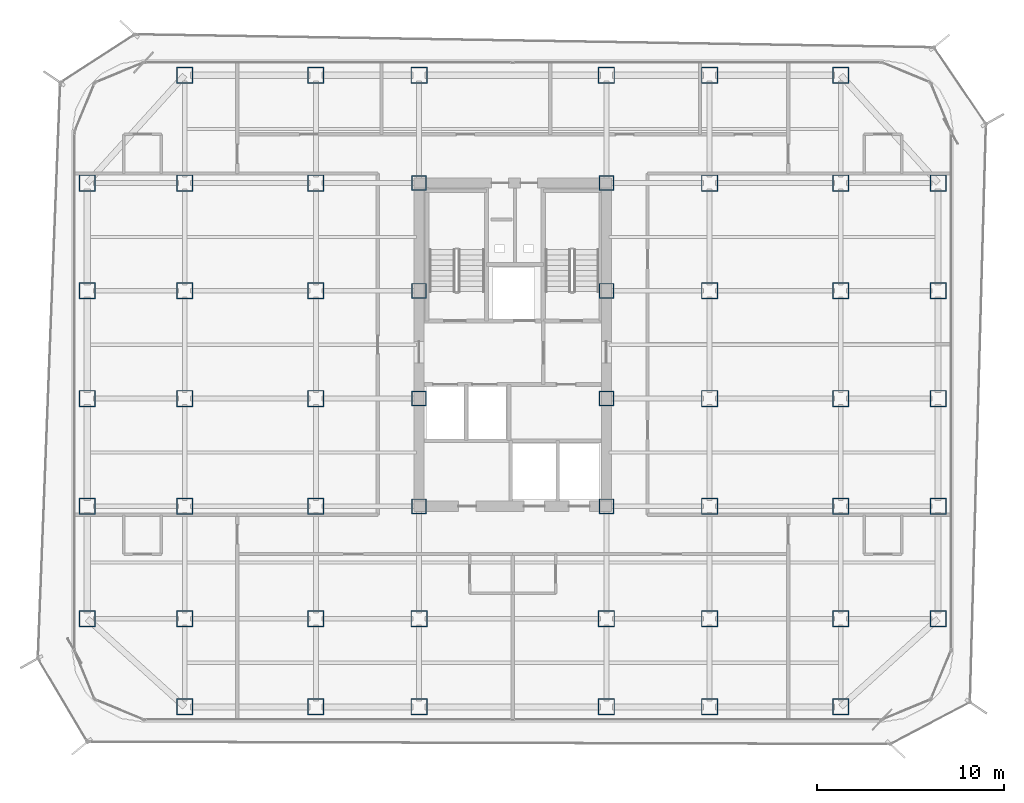
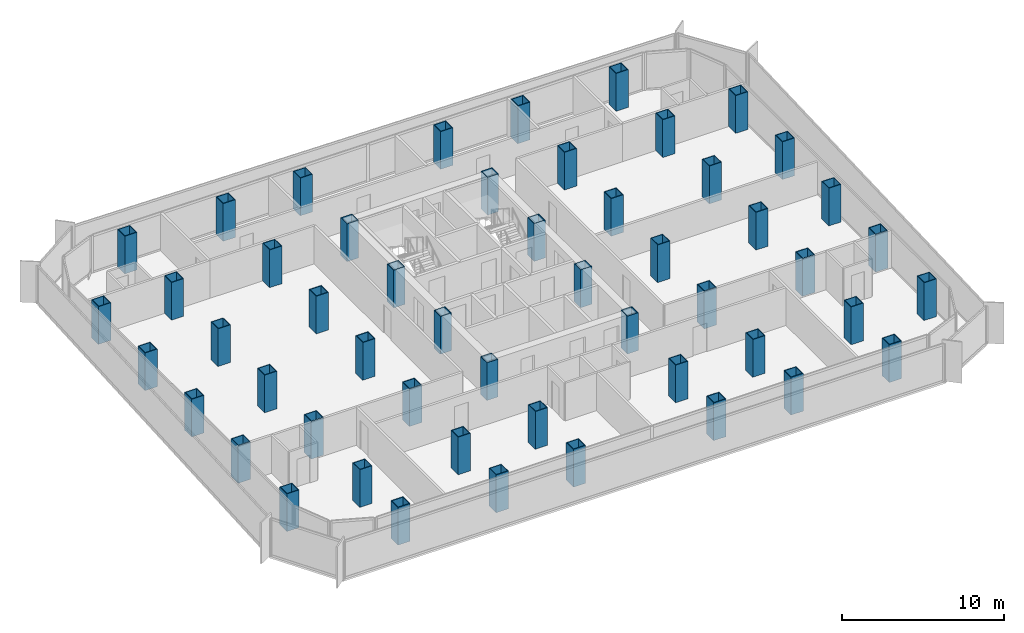
# One storey, part 1 of 21: 52 columns.
"""IFC4 building model written with IfcOpenShell, lengths in metres."""

from ifc_helpers import new_model, si_unit, direction, frame, origin, origin_2d, place, context, subcontext, project, spatial, hollow_rectangle, extrude, source, transform, mapped, material, material_profile, profile_set, type_object, element, save


model = new_model("IFC4")

# Units and contexts
model_context = context("Model", 3, precision=1e-05, world=origin(), true_north=direction((0.0, 1.0)))
body_context = subcontext(model_context, "Body", "Model", "MODEL_VIEW")
ifc_project = project(units=[si_unit("LENGTHUNIT", "METRE"), si_unit("AREAUNIT", "SQUARE_METRE"), si_unit("VOLUMEUNIT", "CUBIC_METRE"), si_unit("PLANEANGLEUNIT", "RADIAN"), si_unit("MASSUNIT", "GRAM", prefix="KILO")], contexts=[model_context])

# Site, building, storey
site_placement = place(None, origin())
site = spatial("IfcSite", under=ifc_project, at=site_placement, CompositionType="ELEMENT")
building_placement = place(site_placement, origin())
building = spatial("IfcBuilding", under=site, at=building_placement, Name="Kolveth Station Tower", CompositionType="ELEMENT")
storey_placement = place(building_placement, frame((0.0, 0.0, 140.699951171875)))
storey = spatial("IfcBuildingStorey", under=building, at=storey_placement, Name="L39", CompositionType="ELEMENT", Elevation=140.699951171875)

# Columns
ifc_material_1 = material(Name="Steel S460", Category="steel")
ifc_material_profile_1 = material_profile(ifc_material_1, hollow_rectangle(XDim=0.8798828125, YDim=0.8798828125, WallThickness=0.050048828125, at=origin_2d()), Name="BOX880x880x50")
ifc_profile_set_1 = profile_set([ifc_material_profile_1], Name="Steel S460")
column_type_1 = type_object("IfcColumnType", Name="Col_C4", PredefinedType="COLUMN", material=ifc_profile_set_1)
shared_shape_1 = source(origin(), body_context, "Body", "SweptSolid", [
    extrude(hollow_rectangle(XDim=0.8798828125, YDim=0.8798828125, WallThickness=0.050048828125, at=origin_2d()), origin(), (0.0, 0.0, 1.0), 2.840087890625),
])
for number, where, z_axis, x_axis, name in (
    (1, (6.0, 0.800048828125, 0.0), (0.0, 0.0, 1.0), (1.0, 0.0, 0.0), "L39 Tower Column S-X60"),
    (2, (6.0, 34.5, 0.0), (0.0, 0.0, 1.0), (1.0, 0.0, 0.0), "L39 Tower Column N-X60"),
    (3, (13.0, 0.800048828125, 0.0), (0.0, 0.0, 1.0), (1.0, 0.0, 0.0), "L39 Tower Column S-X130"),
    (4, (13.0, 34.5, 0.0), (0.0, 0.0, 1.0), (1.0, 0.0, 0.0), "L39 Tower Column N-X130"),
    (5, (18.5, 0.800048828125, 0.0), (0.0, 0.0, 1.0), (1.0, 0.0, 0.0), "L39 Tower Column S-X185"),
    (6, (18.5, 34.5, 0.0), (0.0, 0.0, 1.0), (1.0, 0.0, 0.0), "L39 Tower Column N-X185"),
    (7, (28.5, 0.800048828125, 0.0), (0.0, 0.0, 1.0), (1.0, 0.0, 0.0), "L39 Tower Column S-X285"),
    (8, (28.5, 34.5, 0.0), (0.0, 0.0, 1.0), (1.0, 0.0, 0.0), "L39 Tower Column N-X285"),
    (9, (34.0, 0.800048828125, 0.0), (0.0, 0.0, 1.0), (1.0, 0.0, 0.0), "L39 Tower Column S-X340"),
    (10, (34.0, 34.5, 0.0), (0.0, 0.0, 1.0), (1.0, 0.0, 0.0), "L39 Tower Column N-X340"),
    (11, (41.0, 0.800048828125, 0.0), (0.0, 0.0, 1.0), (1.0, 0.0, 0.0), "L39 Tower Column S-X410"),
    (12, (41.0, 34.5, 0.0), (0.0, 0.0, 1.0), (1.0, 0.0, 0.0), "L39 Tower Column N-X410"),
    (13, (0.800048828125, 5.5, 0.0), (0.0, 0.0, 1.0), (1.0, 0.0, 0.0), "L39 Tower Column W-Y55"),
    (14, (46.199951171875, 5.5, 0.0), (0.0, 0.0, 1.0), (1.0, 0.0, 0.0), "L39 Tower Column E-Y55"),
    (15, (0.800048828125, 11.5, 0.0), (0.0, 0.0, 1.0), (1.0, 0.0, 0.0), "L39 Tower Column W-Y115"),
    (16, (46.199951171875, 11.5, 0.0), (0.0, 0.0, 1.0), (1.0, 0.0, 0.0), "L39 Tower Column E-Y115"),
    (17, (0.800048828125, 17.25, 0.0), (0.0, 0.0, 1.0), (1.0, 0.0, 0.0), "L39 Tower Column W-Y172"),
    (18, (46.199951171875, 17.25, 0.0), (0.0, 0.0, 1.0), (1.0, 0.0, 0.0), "L39 Tower Column E-Y172"),
    (19, (0.800048828125, 23.0, 0.0), (0.0, 0.0, 1.0), (1.0, 0.0, 0.0), "L39 Tower Column W-Y230"),
    (20, (46.199951171875, 23.0, 0.0), (0.0, 0.0, 1.0), (1.0, 0.0, 0.0), "L39 Tower Column E-Y230"),
    (21, (0.800048828125, 28.75, 0.0), (0.0, 0.0, 1.0), (1.0, 0.0, 0.0), "L39 Tower Column W-Y287"),
    (22, (46.199951171875, 28.75, 0.0), (0.0, 0.0, 1.0), (1.0, 0.0, 0.0), "L39 Tower Column E-Y287"),
    (23, (6.0, 5.5, 0.0), (0.0, 0.0, 1.0), (1.0, 0.0, 0.0), "L39 Tower Column G-60-55"),
    (24, (6.0, 11.5, 0.0), (0.0, 0.0, 1.0), (1.0, 0.0, 0.0), "L39 Tower Column G-60-115"),
    (25, (6.0, 17.25, 0.0), (0.0, 0.0, 1.0), (1.0, 0.0, 0.0), "L39 Tower Column G-60-172"),
    (26, (6.0, 23.0, 0.0), (0.0, 0.0, 1.0), (1.0, 0.0, 0.0), "L39 Tower Column G-60-230"),
    (27, (6.0, 28.75, 0.0), (0.0, 0.0, 1.0), (1.0, 0.0, 0.0), "L39 Tower Column G-60-287"),
    (28, (13.0, 5.5, 0.0), (0.0, 0.0, 1.0), (1.0, 0.0, 0.0), "L39 Tower Column G-130-55"),
    (29, (13.0, 11.5, 0.0), (0.0, 0.0, 1.0), (1.0, 0.0, 0.0), "L39 Tower Column G-130-115"),
    (30, (13.0, 17.25, 0.0), (0.0, 0.0, 1.0), (1.0, 0.0, 0.0), "L39 Tower Column G-130-172"),
    (31, (13.0, 23.0, 0.0), (0.0, 0.0, 1.0), (1.0, 0.0, 0.0), "L39 Tower Column G-130-230"),
    (32, (13.0, 28.75, 0.0), (0.0, 0.0, 1.0), (1.0, 0.0, 0.0), "L39 Tower Column G-130-287"),
    (33, (18.5, 5.5, 0.0), (0.0, 0.0, 1.0), (1.0, 0.0, 0.0), "L39 Tower Column G-185-55"),
    (34, (28.5, 5.5, 0.0), (0.0, 0.0, 1.0), (1.0, 0.0, 0.0), "L39 Tower Column G-285-55"),
    (35, (34.0, 5.5, 0.0), (0.0, 0.0, 1.0), (1.0, 0.0, 0.0), "L39 Tower Column G-340-55"),
    (36, (34.0, 11.5, 0.0), (0.0, 0.0, 1.0), (1.0, 0.0, 0.0), "L39 Tower Column G-340-115"),
    (37, (34.0, 17.25, 0.0), (0.0, 0.0, 1.0), (1.0, 0.0, 0.0), "L39 Tower Column G-340-172"),
    (38, (34.0, 23.0, 0.0), (0.0, 0.0, 1.0), (1.0, 0.0, 0.0), "L39 Tower Column G-340-230"),
    (39, (34.0, 28.75, 0.0), (0.0, 0.0, 1.0), (1.0, 0.0, 0.0), "L39 Tower Column G-340-287"),
    (40, (41.0, 5.5, 0.0), (0.0, 0.0, 1.0), (1.0, 0.0, 0.0), "L39 Tower Column G-410-55"),
    (41, (41.0, 11.5, 0.0), (0.0, 0.0, 1.0), (1.0, 0.0, 0.0), "L39 Tower Column G-410-115"),
    (42, (41.0, 17.25, 0.0), (0.0, 0.0, 1.0), (1.0, 0.0, 0.0), "L39 Tower Column G-410-172"),
    (43, (41.0, 23.0, 0.0), (0.0, 0.0, 1.0), (1.0, 0.0, 0.0), "L39 Tower Column G-410-230"),
    (44, (41.0, 28.75, 0.0), (0.0, 0.0, 1.0), (1.0, 0.0, 0.0), "L39 Tower Column G-410-287"),
):
    element("IfcColumn", number, at=place(storey_placement, frame(where, z_axis=z_axis, x_axis=x_axis)), inside=storey, type_object=column_type_1, Name=name, PredefinedType="COLUMN", context=body_context, shape_type="MappedRepresentation", body=[
        mapped(shared_shape_1, transform((0.0, 0.0, 0.0), x_axis=(1.0, 0.0, 0.0), y_axis=(0.0, 1.0, 0.0), z_axis=(0.0, 0.0, 1.0), scale=1.0)),
    ])
ifc_material_2 = material(Name="Steel S355", Category="steel")
ifc_material_profile_2 = material_profile(ifc_material_2, hollow_rectangle(XDim=0.800048828125, YDim=0.800048828125, WallThickness=0.044921875, at=origin_2d()), Name="BOX800x800x45")
ifc_profile_set_2 = profile_set([ifc_material_profile_2], Name="Steel S355")
column_type_2 = type_object("IfcColumnType", Name="Col_C5", PredefinedType="COLUMN", material=ifc_profile_set_2)
shared_shape_2 = source(origin(), body_context, "Body", "SweptSolid", [
    extrude(hollow_rectangle(XDim=0.800048828125, YDim=0.800048828125, WallThickness=0.044921875, at=origin_2d()), origin(), (0.0, 0.0, 1.0), 2.840087890625),
])
for number, where, z_axis, x_axis, name in (
    (45, (18.5, 11.5, 0.0), (0.0, 0.0, 1.0), (1.0, 0.0, 0.0), "L39 Tower Column G-185-115"),
    (46, (18.5, 17.25, 0.0), (0.0, 0.0, 1.0), (1.0, 0.0, 0.0), "L39 Tower Column G-185-172"),
    (47, (18.5, 23.0, 0.0), (0.0, 0.0, 1.0), (1.0, 0.0, 0.0), "L39 Tower Column G-185-230"),
    (48, (18.5, 28.75, 0.0), (0.0, 0.0, 1.0), (1.0, 0.0, 0.0), "L39 Tower Column G-185-287"),
    (49, (28.5, 11.5, 0.0), (0.0, 0.0, 1.0), (1.0, 0.0, 0.0), "L39 Tower Column G-285-115"),
    (50, (28.5, 17.25, 0.0), (0.0, 0.0, 1.0), (1.0, 0.0, 0.0), "L39 Tower Column G-285-172"),
    (51, (28.5, 23.0, 0.0), (0.0, 0.0, 1.0), (1.0, 0.0, 0.0), "L39 Tower Column G-285-230"),
    (52, (28.5, 28.75, 0.0), (0.0, 0.0, 1.0), (1.0, 0.0, 0.0), "L39 Tower Column G-285-287"),
):
    element("IfcColumn", number, at=place(storey_placement, frame(where, z_axis=z_axis, x_axis=x_axis)), inside=storey, type_object=column_type_2, Name=name, PredefinedType="COLUMN", context=body_context, shape_type="MappedRepresentation", body=[
        mapped(shared_shape_2, transform((0.0, 0.0, 0.0), x_axis=(1.0, 0.0, 0.0), y_axis=(0.0, 1.0, 0.0), z_axis=(0.0, 0.0, 1.0), scale=1.0)),
    ])

save(model, "model.ifc")
